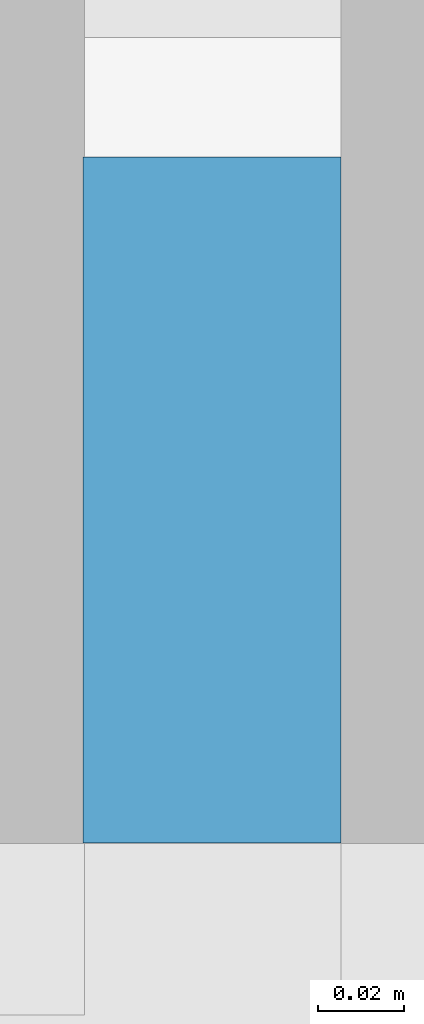
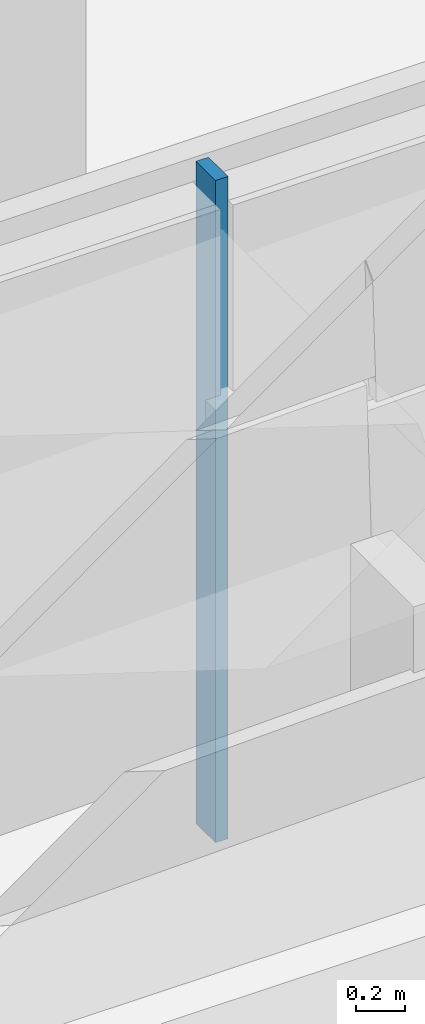
# One storey, part 5 of 33: 1 member, 1 element without a shape of its own.
"""IFC4 building model written with IfcOpenShell, lengths in metres."""

from ifc_helpers import new_model, si_unit, direction, frame, origin, origin_2d, place, context, subcontext, project, spatial, rectangle, extrude, material, material_profile, profile_set, type_object, element, aggregate, save


model = new_model("IFC4")

# Units and contexts
model_context = context("Model", 3, precision=1e-05, world=origin(), true_north=direction((0.0, 1.0)))
body_context = subcontext(model_context, "Body", "Model", "MODEL_VIEW")
ifc_project = project(units=[si_unit("LENGTHUNIT", "METRE"), si_unit("AREAUNIT", "SQUARE_METRE"), si_unit("VOLUMEUNIT", "CUBIC_METRE"), si_unit("PLANEANGLEUNIT", "RADIAN"), si_unit("MASSUNIT", "GRAM", prefix="KILO")], contexts=[model_context])

# Site, building, storey
site_placement = place(None, origin())
site = spatial("IfcSite", under=ifc_project, at=site_placement, CompositionType="ELEMENT")
building_placement = place(site_placement, origin())
building = spatial("IfcBuilding", under=site, at=building_placement, Name="Saffron Gate Tower", CompositionType="ELEMENT")
storey_placement = place(building_placement, frame((0.0, 0.0, 263.550048828125)))
storey = spatial("IfcBuildingStorey", under=building, at=storey_placement, Name="L63", CompositionType="ELEMENT", Elevation=263.550048828125)

# Curtain wall, member
ifc_material = material(Name="Aluminium, bronze anodised", Category="aluminium")
curtain_wall_type = type_object("IfcCurtainWallType", Name="CWS1 curtain wall front facade", PredefinedType="NOTDEFINED", material=ifc_material)
curtain_wall_placement = place(storey_placement, origin())
curtain_wall = element("IfcCurtainWall", 1, at=curtain_wall_placement, inside=storey, type_object=curtain_wall_type, Name="CWS1 run 1", PredefinedType="NOTDEFINED")
ifc_material_profile = material_profile(ifc_material, rectangle(XDim=0.159912109375, YDim=0.06005859375, at=origin_2d()))
ifc_profile_set = profile_set([ifc_material_profile], Name="Aluminium, bronze anodised")
member_type = type_object("IfcMemberType", Name="CWS1 mullion 60x160", PredefinedType="MULLION", material=ifc_profile_set)
member_placement = place(storey_placement, frame((83.39990234375, 30.080078125, 0.0), z_axis=(0.0, 0.0, 1.0), x_axis=(0.0, 1.0, 0.0)))
member = element("IfcMember", 2, at=member_placement, type_object=member_type, Name="CWS1 mullion 5", PredefinedType="MULLION", context=body_context, shape_type="SweptSolid", body=[
    extrude(rectangle(XDim=0.159912109375, YDim=0.06005859375, at=origin_2d()), origin(), (0.0, 0.0, 1.0), 3.320068359375),
])
aggregate(curtain_wall, [member])

save(model, "model.ifc")
